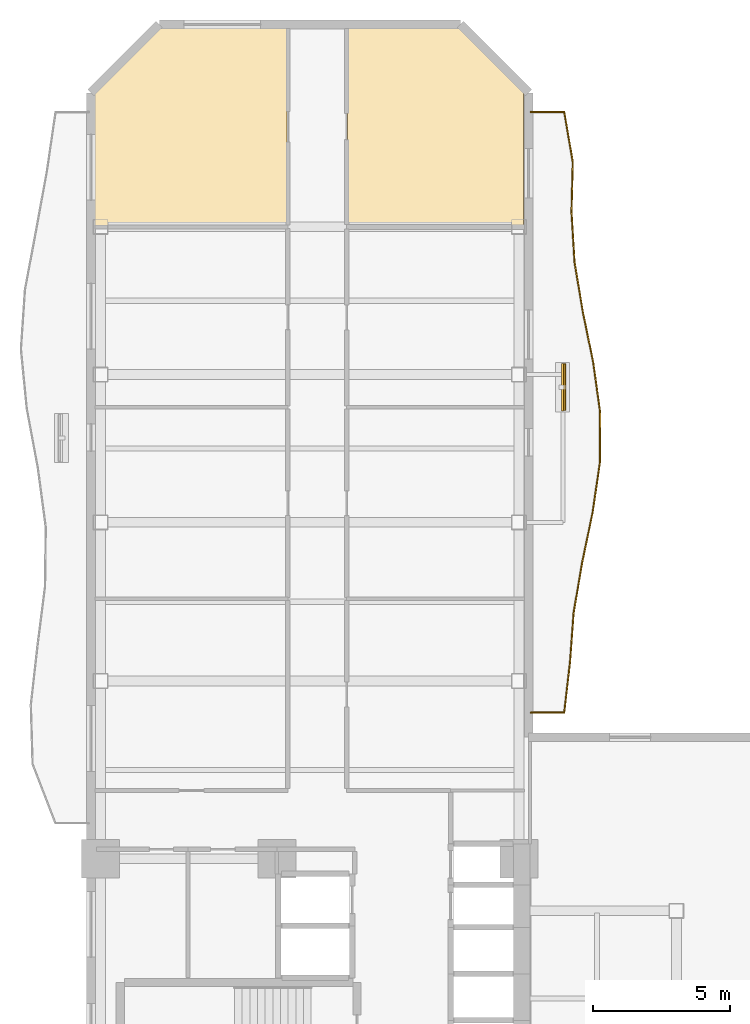
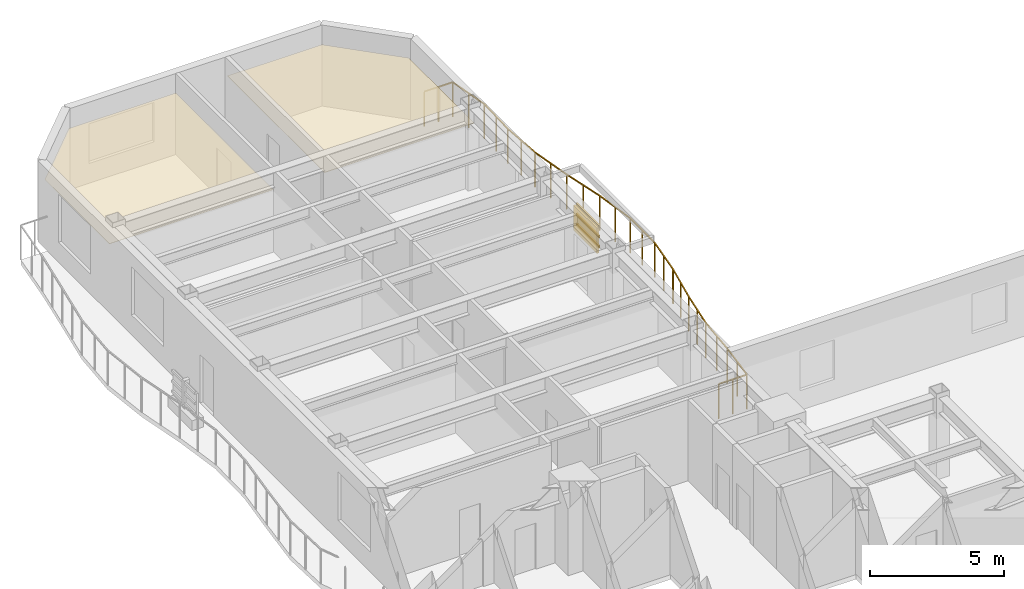
# One storey, part 10 of 10: 4 shading devices, 2 coverings, 1 railing.
"""IFC4 building model written with IfcOpenShell, lengths in metres."""

from ifc_helpers import new_model, si_unit, direction, frame, origin, origin_2d, place, context, subcontext, project, spatial, polyline, rectangle, outline, extrude, material, layer, layer_set, material_profile, profile_set, type_object, element, save


model = new_model("IFC4")

# Units and contexts
model_context = context("Model", 3, precision=1e-05, world=origin(), true_north=direction((0.0, 1.0)))
body_context = subcontext(model_context, "Body", "Model", "MODEL_VIEW")
ifc_project = project(units=[si_unit("LENGTHUNIT", "METRE"), si_unit("AREAUNIT", "SQUARE_METRE"), si_unit("VOLUMEUNIT", "CUBIC_METRE"), si_unit("PLANEANGLEUNIT", "RADIAN"), si_unit("MASSUNIT", "GRAM", prefix="KILO")], contexts=[model_context])

# Site, building, storey
site_placement = place(None, origin())
site = spatial("IfcSite", under=ifc_project, at=site_placement, CompositionType="ELEMENT")
building_placement = place(site_placement, origin())
building = spatial("IfcBuilding", under=site, at=building_placement, Name="Mawjaban Terraces University", CompositionType="ELEMENT")
storey_placement = place(building_placement, frame((0.0, 0.0, 46.60009765625)))
storey = spatial("IfcBuildingStorey", under=building, at=storey_placement, Name="L10", CompositionType="ELEMENT", Elevation=46.60009765625)

# Coverings
ifc_material_1 = material(Name="Acoustic mineral fibre ceiling tile", Category="masonry")
ifc_layer_1 = layer(ifc_material_1, 0.02001953125)
ifc_layer_set_1 = layer_set([ifc_layer_1], Name="Acoustic mineral fibre ceiling tile")
covering_type = type_object("IfcCoveringType", Name="AcousticMineralCeiling_20", PredefinedType="CEILING", material=ifc_layer_set_1)
covering_1_placement = place(storey_placement, frame((0.0, 0.0, 2.75)))
element("IfcCovering", 1, at=covering_1_placement, inside=storey, type_object=covering_type, Name="L10 Teaching Laboratory 12 Acoustic Ceiling", PredefinedType="CEILING", context=body_context, shape_type="SweptSolid", body=[
    extrude(outline(polyline([(29.169921875, 53.885009765625), (24.547119140625, 53.885009765625), (22.114990234375, 51.452880859375), (22.114990234375, 46.6298828125), (29.169921875, 46.6298828125), (29.169921875, 53.885009765625)])), origin(), (0.0, 0.0, 1.0), 0.02001953125),
])
covering_2_placement = place(storey_placement, frame((0.0, 0.0, 2.75)))
element("IfcCovering", 2, at=covering_2_placement, inside=storey, type_object=covering_type, Name="L10 Design Studio 13 Acoustic Ceiling", PredefinedType="CEILING", context=body_context, shape_type="SweptSolid", body=[
    extrude(outline(polyline([(37.820068359375, 51.51806640625), (35.452880859375, 53.885009765625), (31.3798828125, 53.885009765625), (31.3798828125, 46.6298828125), (37.820068359375, 46.6298828125), (37.820068359375, 51.51806640625)])), origin(), (0.0, 0.0, 1.0), 0.02001953125),
])

# Railing
ifc_material_2 = material(Name="Galvanised powder-coated steel S355", Category="steel")
railing_type = type_object("IfcRailingType", Name="BalconyBalustrade_1600", PredefinedType="BALUSTRADE", material=ifc_material_2)
railing_placement = place(storey_placement, frame((38.080078125, 28.846923828125, 0.0)))
element("IfcRailing", 3, at=railing_placement, inside=storey, type_object=railing_type, Name="L10 Balcony Guardrail inner_east", PredefinedType="BALUSTRADE", context=body_context, shape_type="SweptSolid", body=[
    extrude(rectangle(XDim=0.048095703125, YDim=0.048095703125, at=origin_2d()), frame((0.0, 0.0, 1.576171875), z_axis=(1.0, 0.0, 0.0), x_axis=(0.0, 1.0, 0.0)), (0.0, 0.0, 1.0), 1.219970703125),
    extrude(rectangle(XDim=0.048095703125, YDim=0.048095703125, at=origin_2d()), frame((1.219970703125, 0.0, 1.576171875), z_axis=(0.114563713277, 0.993415902631, 0.0), x_axis=(-0.993415902631, 0.114563713277, 0.0)), (0.0, 0.0, 1.0), 1.84130859375),
    extrude(rectangle(XDim=0.048095703125, YDim=0.048095703125, at=origin_2d()), frame((1.430908203125, 1.8291015625, 1.576171875), z_axis=(0.073572743975, 0.997289853224, 0.0), x_axis=(-0.997289853224, 0.073572743975, 0.0)), (0.0, 0.0, 1.0), 1.8349609375),
    extrude(rectangle(XDim=0.048095703125, YDim=0.048095703125, at=origin_2d()), frame((1.56591796875, 3.6591796875, 1.576171875), z_axis=(0.168174833905, 0.985757183713, 0.0), x_axis=(-0.985757183713, 0.168174833905, 0.0)), (0.0, 0.0, 1.0), 1.855224609375),
    extrude(rectangle(XDim=0.048095703125, YDim=0.048095703125, at=origin_2d()), frame((1.8779296875, 5.488037109375, 1.576171875), z_axis=(0.204371424341, 0.978893416523, 0.0), x_axis=(-0.978893416523, 0.204371424341, 0.0)), (0.0, 0.0, 1.0), 1.86962890625),
    extrude(rectangle(XDim=0.048095703125, YDim=0.048095703125, at=origin_2d()), frame((2.260009765625, 7.318115234375, 1.576171875), z_axis=(0.143862224561, 0.989597726525, 0.0), x_axis=(-0.989597726525, 0.143862224561, 0.0)), (0.0, 0.0, 1.0), 1.84814453125),
    extrude(rectangle(XDim=0.048095703125, YDim=0.048095703125, at=origin_2d()), frame((2.52587890625, 9.14697265625, 1.576171875), z_axis=(0.003870766517, 0.999992508555, 0.0), x_axis=(-0.999992508555, 0.003870766517, 0.0)), (0.0, 0.0, 1.0), 1.8291015625),
    extrude(rectangle(XDim=0.048095703125, YDim=0.048095703125, at=origin_2d()), frame((2.532958984375, 10.97607421875, 1.576171875), z_axis=(-0.136905698008, 0.990584085201, 0.0), x_axis=(-0.990584085201, -0.136905698008, 0.0)), (0.0, 0.0, 1.0), 1.847412109375),
    extrude(rectangle(XDim=0.048095703125, YDim=0.048095703125, at=origin_2d()), frame((2.280029296875, 12.80615234375, 1.576171875), z_axis=(-0.201995983297, 0.979386350084, 0.0), x_axis=(-0.979386350084, -0.201995983297, 0.0)), (0.0, 0.0, 1.0), 1.867431640625),
    extrude(rectangle(XDim=0.048095703125, YDim=0.048095703125, at=origin_2d()), frame((1.90283203125, 14.635009765625, 1.576171875), z_axis=(-0.16435630921, 0.986401035899, 0.0), x_axis=(-0.986401035899, -0.16435630921, 0.0)), (0.0, 0.0, 1.0), 1.855224609375),
    extrude(rectangle(XDim=0.048095703125, YDim=0.048095703125, at=origin_2d()), frame((1.597900390625, 16.465087890625, 1.576171875), z_axis=(-0.06061975758, 0.998160931409, 0.0), x_axis=(-0.998160931409, -0.06061975758, 0.0)), (0.0, 0.0, 1.0), 1.83251953125),
    extrude(rectangle(XDim=0.048095703125, YDim=0.048095703125, at=origin_2d()), frame((1.48681640625, 18.294189453125, 1.576171875), z_axis=(0.02574196715, 0.999668620657, 0.0), x_axis=(-0.999668620657, 0.02574196715, 0.0)), (0.0, 0.0, 1.0), 1.830322265625),
    extrude(rectangle(XDim=0.048095703125, YDim=0.048095703125, at=origin_2d()), frame((1.533935546875, 20.1240234375, 1.576171875), z_axis=(-0.169175587667, 0.985585927526, 0.0), x_axis=(-0.985585927526, -0.169175587667, 0.0)), (0.0, 0.0, 1.0), 1.85595703125),
    extrude(rectangle(XDim=0.048095703125, YDim=0.048095703125, at=origin_2d()), frame((1.219970703125, 21.953125, 1.576171875), z_axis=(-1.0, 0.0, 0.0), x_axis=(0.0, -1.0, 0.0)), (0.0, 0.0, 1.0), 1.219970703125),
    extrude(rectangle(XDim=0.0419921875, YDim=0.0419921875, at=origin_2d()), origin(), (0.0, 0.0, 1.0), 1.552001953125),
    extrude(rectangle(XDim=0.0419921875, YDim=0.0419921875, at=origin_2d()), frame((0.60986328125, 0.0, 0.0)), (0.0, 0.0, 1.0), 1.552001953125),
    extrude(rectangle(XDim=0.0419921875, YDim=0.0419921875, at=origin_2d()), frame((1.219970703125, 0.0, 0.0)), (0.0, 0.0, 1.0), 1.552001953125),
    extrude(rectangle(XDim=0.0419921875, YDim=0.0419921875, at=origin_2d()), frame((1.325439453125, 0.91455078125, 0.0)), (0.0, 0.0, 1.0), 1.552001953125),
    extrude(rectangle(XDim=0.0419921875, YDim=0.0419921875, at=origin_2d()), frame((1.430908203125, 1.8291015625, 0.0)), (0.0, 0.0, 1.0), 1.552001953125),
    extrude(rectangle(XDim=0.0419921875, YDim=0.0419921875, at=origin_2d()), frame((1.49853515625, 2.744140625, 0.0)), (0.0, 0.0, 1.0), 1.552001953125),
    extrude(rectangle(XDim=0.0419921875, YDim=0.0419921875, at=origin_2d()), frame((1.56591796875, 3.6591796875, 0.0)), (0.0, 0.0, 1.0), 1.552001953125),
    extrude(rectangle(XDim=0.0419921875, YDim=0.0419921875, at=origin_2d()), frame((1.721923828125, 4.57373046875, 0.0)), (0.0, 0.0, 1.0), 1.552001953125),
    extrude(rectangle(XDim=0.0419921875, YDim=0.0419921875, at=origin_2d()), frame((1.8779296875, 5.488037109375, 0.0)), (0.0, 0.0, 1.0), 1.552001953125),
    extrude(rectangle(XDim=0.0419921875, YDim=0.0419921875, at=origin_2d()), frame((2.06884765625, 6.403076171875, 0.0)), (0.0, 0.0, 1.0), 1.552001953125),
    extrude(rectangle(XDim=0.0419921875, YDim=0.0419921875, at=origin_2d()), frame((2.260009765625, 7.318115234375, 0.0)), (0.0, 0.0, 1.0), 1.552001953125),
    extrude(rectangle(XDim=0.0419921875, YDim=0.0419921875, at=origin_2d()), frame((2.39306640625, 8.232421875, 0.0)), (0.0, 0.0, 1.0), 1.552001953125),
    extrude(rectangle(XDim=0.0419921875, YDim=0.0419921875, at=origin_2d()), frame((2.52587890625, 9.14697265625, 0.0)), (0.0, 0.0, 1.0), 1.552001953125),
    extrude(rectangle(XDim=0.0419921875, YDim=0.0419921875, at=origin_2d()), frame((2.529296875, 10.0615234375, 0.0)), (0.0, 0.0, 1.0), 1.552001953125),
    extrude(rectangle(XDim=0.0419921875, YDim=0.0419921875, at=origin_2d()), frame((2.532958984375, 10.97607421875, 0.0)), (0.0, 0.0, 1.0), 1.552001953125),
    extrude(rectangle(XDim=0.0419921875, YDim=0.0419921875, at=origin_2d()), frame((2.406494140625, 11.89111328125, 0.0)), (0.0, 0.0, 1.0), 1.552001953125),
    extrude(rectangle(XDim=0.0419921875, YDim=0.0419921875, at=origin_2d()), frame((2.280029296875, 12.80615234375, 0.0)), (0.0, 0.0, 1.0), 1.552001953125),
    extrude(rectangle(XDim=0.0419921875, YDim=0.0419921875, at=origin_2d()), frame((2.09130859375, 13.720703125, 0.0)), (0.0, 0.0, 1.0), 1.552001953125),
    extrude(rectangle(XDim=0.0419921875, YDim=0.0419921875, at=origin_2d()), frame((1.90283203125, 14.635009765625, 0.0)), (0.0, 0.0, 1.0), 1.552001953125),
    extrude(rectangle(XDim=0.0419921875, YDim=0.0419921875, at=origin_2d()), frame((1.75048828125, 15.550048828125, 0.0)), (0.0, 0.0, 1.0), 1.552001953125),
    extrude(rectangle(XDim=0.0419921875, YDim=0.0419921875, at=origin_2d()), frame((1.597900390625, 16.465087890625, 0.0)), (0.0, 0.0, 1.0), 1.552001953125),
    extrude(rectangle(XDim=0.0419921875, YDim=0.0419921875, at=origin_2d()), frame((1.54248046875, 17.379638671875, 0.0)), (0.0, 0.0, 1.0), 1.552001953125),
    extrude(rectangle(XDim=0.0419921875, YDim=0.0419921875, at=origin_2d()), frame((1.48681640625, 18.294189453125, 0.0)), (0.0, 0.0, 1.0), 1.552001953125),
    extrude(rectangle(XDim=0.0419921875, YDim=0.0419921875, at=origin_2d()), frame((1.51025390625, 19.208984375, 0.0)), (0.0, 0.0, 1.0), 1.552001953125),
    extrude(rectangle(XDim=0.0419921875, YDim=0.0419921875, at=origin_2d()), frame((1.533935546875, 20.1240234375, 0.0)), (0.0, 0.0, 1.0), 1.552001953125),
    extrude(rectangle(XDim=0.0419921875, YDim=0.0419921875, at=origin_2d()), frame((1.376953125, 21.03857421875, 0.0)), (0.0, 0.0, 1.0), 1.552001953125),
    extrude(rectangle(XDim=0.0419921875, YDim=0.0419921875, at=origin_2d()), frame((1.219970703125, 21.953125, 0.0)), (0.0, 0.0, 1.0), 1.552001953125),
    extrude(rectangle(XDim=0.0419921875, YDim=0.0419921875, at=origin_2d()), frame((0.60986328125, 21.953125, 0.0)), (0.0, 0.0, 1.0), 1.552001953125),
    extrude(rectangle(XDim=0.0419921875, YDim=0.0419921875, at=origin_2d()), frame((0.0, 21.953125, 0.0)), (0.0, 0.0, 1.0), 1.552001953125),
])

# Shading devices
ifc_material_3 = material(Name="Glazed architectural terracotta ceramic", Category="masonry")
ifc_material_profile = material_profile(ifc_material_3, rectangle(XDim=0.06494140625, YDim=0.110107421875, at=origin_2d()), Name="TBAG110X65")
ifc_profile_set = profile_set([ifc_material_profile], Name="Glazed architectural terracotta ceramic")
shading_device_type_1 = type_object("IfcShadingDeviceType", Name="TerracottaBaguette_110x65", PredefinedType="USERDEFINED", material=ifc_profile_set)
for number, where, z_axis, x_axis, name in (
    (4, (39.322998046875, 39.887939453125, 0.679931640625), (0.0, 1.0, 0.0), (-1.0, 0.0, 0.0), "L10 Horizontal Terracotta Baguette inner_east.1"),
    (5, (39.322998046875, 39.887939453125, 1.14990234375), (0.0, 1.0, 0.0), (-1.0, 0.0, 0.0), "L10 Horizontal Terracotta Baguette inner_east.2"),
    (6, (39.322998046875, 39.887939453125, 1.619873046875), (0.0, 1.0, 0.0), (-1.0, 0.0, 0.0), "L10 Horizontal Terracotta Baguette inner_east.3"),
):
    element("IfcShadingDevice", number, at=place(storey_placement, frame(where, z_axis=z_axis, x_axis=x_axis)), inside=storey, type_object=shading_device_type_1, Name=name, ObjectType="BAGUETTE", PredefinedType="USERDEFINED", context=body_context, shape_type="SweptSolid", body=[
        extrude(rectangle(XDim=0.06494140625, YDim=0.110107421875, at=origin_2d()), origin(), (0.0, 0.0, 1.0), 1.699951171875),
    ])
ifc_layer_2 = layer(ifc_material_3, 0.080078125)
ifc_layer_set_2 = layer_set([ifc_layer_2], Name="Glazed architectural terracotta ceramic")
shading_device_type_2 = type_object("IfcShadingDeviceType", Name="TerracottaScreen_Perforated", PredefinedType="USERDEFINED", material=ifc_layer_set_2)
shading_device_placement = place(storey_placement, frame((39.238037109375, 40.738037109375, 0.43994140625), z_axis=(0.0, 0.0, 1.0), x_axis=(0.0, 1.0, 0.0)))
element("IfcShadingDevice", 7, at=shading_device_placement, inside=storey, type_object=shading_device_type_2, Name="L10 Balcony Perforated Terracotta Screen inner_east", ObjectType="SCREEN", PredefinedType="USERDEFINED", context=body_context, shape_type="SweptSolid", body=[
    extrude(rectangle(XDim=1.75, YDim=0.080078125, at=origin_2d()), origin(), (0.0, 0.0, 1.0), 1.14990234375),
])

save(model, "model.ifc")
